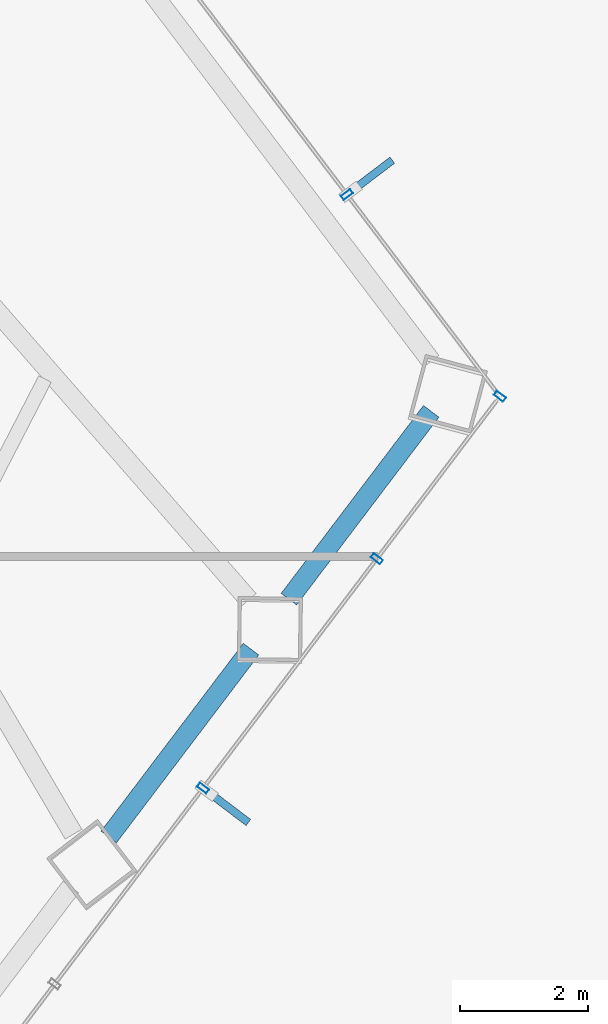
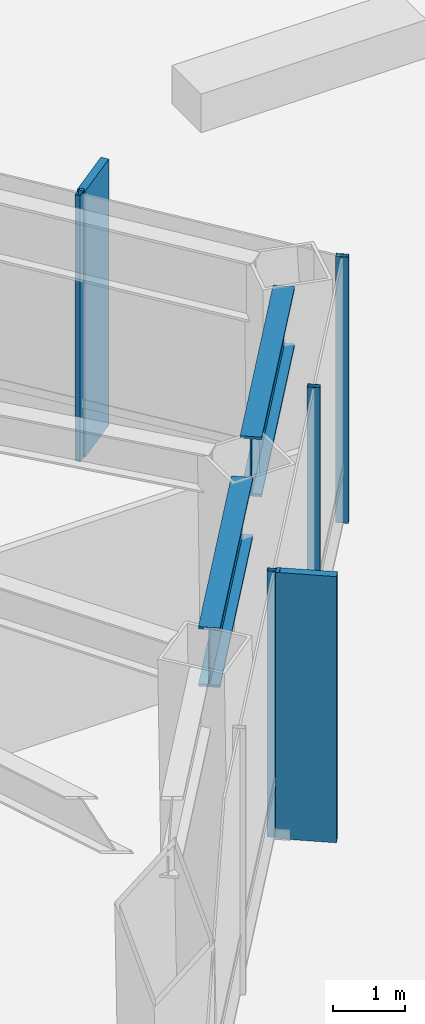
# One storey, part 12 of 30: 6 members, 2 beams, 2 elements without a shape of their own.
"""IFC4 building model written with IfcOpenShell, lengths in metres."""

from ifc_helpers import new_model, si_unit, direction, frame, origin, origin_2d, place, context, subcontext, project, spatial, rectangle, hollow_rectangle, i_section, extrude, material, layer, layer_set, material_profile, profile_set, type_object, element, aggregate, save


model = new_model("IFC4")

# Units and contexts
model_context = context("Model", 3, precision=1e-05, world=origin(), true_north=direction((0.0, 1.0)))
body_context = subcontext(model_context, "Body", "Model", "MODEL_VIEW")
ifc_project = project(units=[si_unit("LENGTHUNIT", "METRE"), si_unit("AREAUNIT", "SQUARE_METRE"), si_unit("VOLUMEUNIT", "CUBIC_METRE"), si_unit("PLANEANGLEUNIT", "RADIAN"), si_unit("MASSUNIT", "GRAM", prefix="KILO")], contexts=[model_context])

# Site, building, storey
site_placement = place(None, origin())
site = spatial("IfcSite", under=ifc_project, at=site_placement, CompositionType="ELEMENT")
building_placement = place(site_placement, origin())
building = spatial("IfcBuilding", under=site, at=building_placement, Name="Zarrinselat Tower", CompositionType="ELEMENT")
storey_placement = place(building_placement, frame((0.0, 0.0, 22.780029296875)))
storey = spatial("IfcBuildingStorey", under=building, at=storey_placement, Name="L05", CompositionType="ELEMENT", Elevation=22.780029296875)

# Beams
ifc_material_1 = material(Name="Steel S460M", Category="steel")
ifc_material_profile_1 = material_profile(ifc_material_1, i_section(OverallWidth=0.302001953125, OverallDepth=1.008056640625, WebThickness=0.02099609375, FlangeThickness=0.0400390625, at=origin_2d()), Name="HEM 1000")
ifc_profile_set_1 = profile_set([ifc_material_profile_1], Name="Steel S460M")
beam_type = type_object("IfcBeamType", Name="BM-HEM1000", PredefinedType="BEAM", material=ifc_profile_set_1)
for number, where, z_axis, x_axis, name in (
    (1, (55.411865234375, 27.63330078125, 3.995849609375), (0.603869220808, 0.797083411043, 0.0), (-0.797083411043, 0.603869220808, 0.0), "L05 Perimeter Spandrel Girder SP13"),
    (2, (58.21630859375, 31.335205078125, 3.995849609375), (0.603869220808, 0.797083411043, 0.0), (-0.797083411043, 0.603869220808, 0.0), "L05 Perimeter Spandrel Girder SP14"),
):
    element("IfcBeam", number, at=place(storey_placement, frame(where, z_axis=z_axis, x_axis=x_axis)), inside=storey, type_object=beam_type, Name=name, PredefinedType="BEAM", context=body_context, shape_type="SweptSolid", body=[
        extrude(i_section(OverallWidth=0.302001953125, OverallDepth=1.008056640625, WebThickness=0.02099609375, FlangeThickness=0.0400390625, at=origin_2d()), origin(), (0.0, 0.0, 1.0), 3.668212890625),
    ])

# Curtain wall, members
ifc_material_2 = material(Name="Extruded Aluminium Alloy EN AW-6063 T6", Category="aluminium")
ifc_layer = layer(ifc_material_2, 0.195068359375)
ifc_layer_set = layer_set([ifc_layer], Name="Extruded Aluminium Alloy EN AW-6063 T6")
curtain_wall_type = type_object("IfcCurtainWallType", Name="CWS-GDN", PredefinedType="NOTDEFINED", material=ifc_layer_set)
curtain_wall_1_placement = place(storey_placement, origin())
curtain_wall_1 = element("IfcCurtainWall", 3, at=curtain_wall_1_placement, inside=storey, type_object=curtain_wall_type, Name="L05 Unitised Curtain Wall CW-L05-E05", PredefinedType="NOTDEFINED")
ifc_material_3 = material(Name="Extruded Aluminium Alloy EN AW-6063 T6", Category="aluminium")
ifc_material_profile_2 = material_profile(ifc_material_3, hollow_rectangle(XDim=0.080078125, YDim=0.179931640625, WallThickness=0.0048828125, at=origin_2d()), Name="RHS 180x80x5")
ifc_profile_set_2 = profile_set([ifc_material_profile_2], Name="Extruded Aluminium Alloy EN AW-6063 T6")
member_type_1 = type_object("IfcMemberType", Name="MEM-CW-MUL", PredefinedType="MULLION", material=ifc_profile_set_2)
member_1_placement = place(storey_placement, frame((56.8798828125, 28.3935546875, 0.0), z_axis=(0.0, 0.0, 1.0), x_axis=(0.603857687995, 0.797092148154, 0.0)))
member_1 = element("IfcMember", 4, at=member_1_placement, type_object=member_type_1, Name="CW-L05-E05 Mullion 3", PredefinedType="MULLION", context=body_context, shape_type="SweptSolid", body=[
    extrude(hollow_rectangle(XDim=0.080078125, YDim=0.179931640625, WallThickness=0.0048828125, at=origin_2d()), origin(), (0.0, 0.0, 1.0), 4.5),
])
member_2_placement = place(storey_placement, frame((59.584716796875, 31.963623046875, 0.0), z_axis=(0.0, 0.0, 1.0), x_axis=(0.603857687995, 0.797092148154, 0.0)))
member_2 = element("IfcMember", 5, at=member_2_placement, type_object=member_type_1, Name="CW-L05-E05 Mullion 4", PredefinedType="MULLION", context=body_context, shape_type="SweptSolid", body=[
    extrude(hollow_rectangle(XDim=0.080078125, YDim=0.179931640625, WallThickness=0.0048828125, at=origin_2d()), origin(), (0.0, 0.0, 1.0), 4.5),
])
member_3_placement = place(storey_placement, frame((61.5, 34.491943359375, 0.0), z_axis=(0.0, 0.0, 1.0), x_axis=(0.603857687995, 0.797092148154, 0.0)))
member_3 = element("IfcMember", 6, at=member_3_placement, type_object=member_type_1, Name="CW-L05-E05 Mullion 5", PredefinedType="MULLION", context=body_context, shape_type="SweptSolid", body=[
    extrude(hollow_rectangle(XDim=0.080078125, YDim=0.179931640625, WallThickness=0.0048828125, at=origin_2d()), origin(), (0.0, 0.0, 1.0), 4.5),
])

# Curtain wall, member
curtain_wall_2_placement = place(storey_placement, origin())
curtain_wall_2 = element("IfcCurtainWall", 7, at=curtain_wall_2_placement, inside=storey, type_object=curtain_wall_type, Name="L05 Unitised Curtain Wall CW-L05-E06", PredefinedType="NOTDEFINED")
member_4_placement = place(storey_placement, frame((59.1201171875, 37.633544921875, 0.0), z_axis=(0.0, 0.0, 1.0), x_axis=(-0.603857687995, 0.797092148154, 0.0)))
member_4 = element("IfcMember", 8, at=member_4_placement, type_object=member_type_1, Name="CW-L05-E06 Mullion 1", PredefinedType="MULLION", context=body_context, shape_type="SweptSolid", body=[
    extrude(hollow_rectangle(XDim=0.080078125, YDim=0.179931640625, WallThickness=0.0048828125, at=origin_2d()), origin(), (0.0, 0.0, 1.0), 4.5),
])

# Member
ifc_material_4 = material(Name="Honed Cream Travertine Stone", Category="masonry")
ifc_material_profile_3 = material_profile(ifc_material_4, rectangle(XDim=0.1201171875, YDim=0.85009765625, at=origin_2d()), Name="FIN 850x120")
ifc_profile_set_3 = profile_set([ifc_material_profile_3], Name="Honed Cream Travertine Stone")
member_type_2 = type_object("IfcMemberType", Name="MEM-STONE-FIN", PredefinedType="USERDEFINED", material=ifc_profile_set_3)
member_5_placement = place(storey_placement, frame((57.24658203125, 28.11572265625, 0.0), z_axis=(0.0, 0.0, 1.0), x_axis=(-0.603857687995, -0.797092148154, 0.0)))
member_5 = element("IfcMember", 9, at=member_5_placement, type_object=member_type_2, Name="L05 Stone Shading Fin CW-L05-E05-03", ObjectType="FIN", PredefinedType="USERDEFINED", context=body_context, shape_type="SweptSolid", body=[
    extrude(rectangle(XDim=0.1201171875, YDim=0.85009765625, at=origin_2d()), origin(), (0.0, 0.0, 1.0), 4.5),
])

aggregate(curtain_wall_1, [member_1, member_5, member_2, member_3])

member_6_placement = place(storey_placement, frame((59.48681640625, 37.911376953125, 0.0), z_axis=(0.0, 0.0, 1.0), x_axis=(0.603857687995, -0.797092148154, 0.0)))
member_6 = element("IfcMember", 10, at=member_6_placement, type_object=member_type_2, Name="L05 Stone Shading Fin CW-L05-E06-01", ObjectType="FIN", PredefinedType="USERDEFINED", context=body_context, shape_type="SweptSolid", body=[
    extrude(rectangle(XDim=0.1201171875, YDim=0.85009765625, at=origin_2d()), origin(), (0.0, 0.0, 1.0), 4.5),
])

aggregate(curtain_wall_2, [member_4, member_6])

save(model, "model.ifc")
